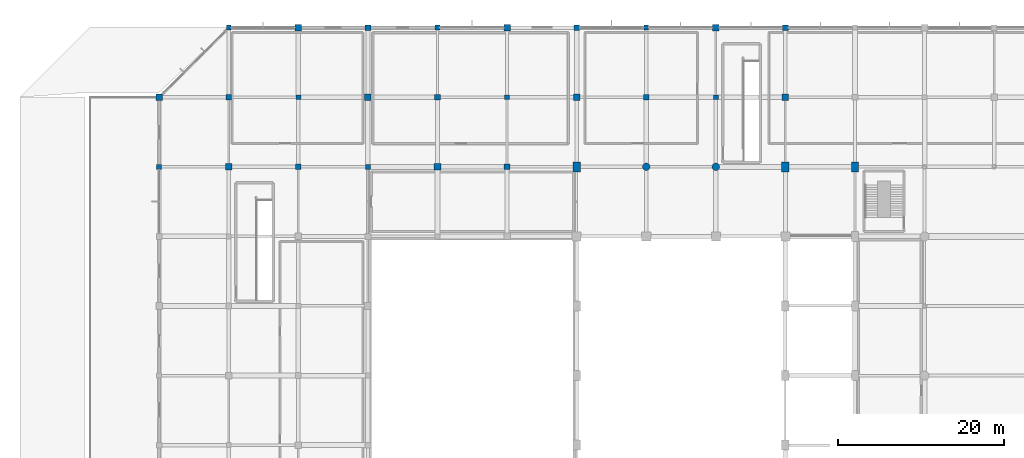
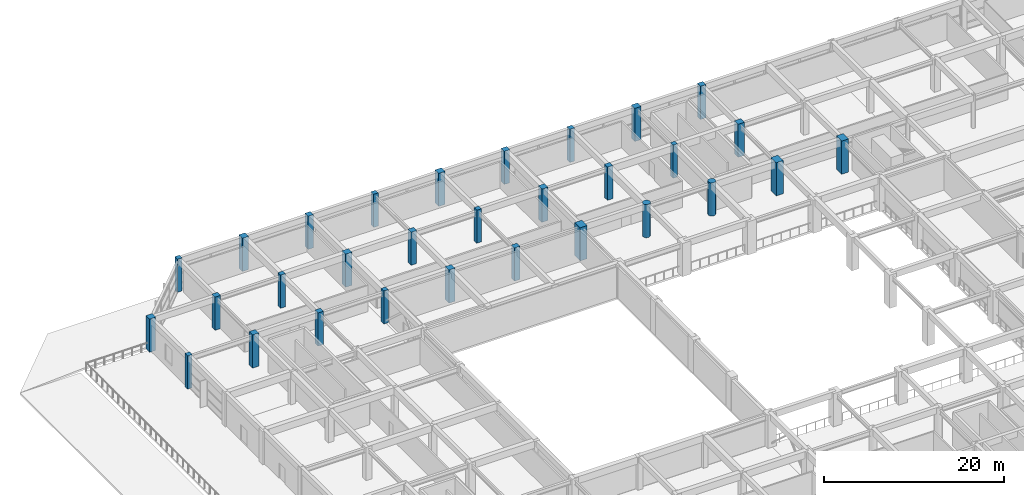
# One storey, part 5 of 56: 30 columns.
"""IFC4 building model written with IfcOpenShell, lengths in metres."""

from ifc_helpers import new_model, si_unit, direction, frame, origin, origin_2d, place, context, subcontext, project, spatial, rectangle, circle, extrude, material, material_profile, profile_set, type_object, element, save


model = new_model("IFC4")

# Units and contexts
model_context = context("Model", 3, precision=1e-05, world=origin(), true_north=direction((0.0, 1.0)))
body_context = subcontext(model_context, "Body", "Model", "MODEL_VIEW")
ifc_project = project(units=[si_unit("LENGTHUNIT", "METRE"), si_unit("AREAUNIT", "SQUARE_METRE"), si_unit("VOLUMEUNIT", "CUBIC_METRE"), si_unit("PLANEANGLEUNIT", "RADIAN"), si_unit("MASSUNIT", "GRAM", prefix="KILO")], contexts=[model_context])

# Site, building, storey
site_placement = place(None, origin())
site = spatial("IfcSite", under=ifc_project, at=site_placement, CompositionType="ELEMENT")
building_placement = place(site_placement, origin())
building = spatial("IfcBuilding", under=site, at=building_placement, Name="Xuanlan Plaza Opera House", CompositionType="ELEMENT")
storey_placement = place(building_placement, frame((0.0, 0.0, 18.89990234375)))
storey = spatial("IfcBuildingStorey", under=building, at=storey_placement, Name="L04", CompositionType="ELEMENT", Elevation=18.89990234375)

# Columns
ifc_material_1 = material(Name="Concrete C40", Category="concrete")
ifc_material_profile_1 = material_profile(ifc_material_1, rectangle(XDim=0.800048828125, YDim=0.800048828125, at=origin_2d()), Name="RC-COL 800x800")
ifc_profile_set_1 = profile_set([ifc_material_profile_1], Name="Concrete C40")
column_type_1 = type_object("IfcColumnType", Name="STR-COL-C-06", PredefinedType="COLUMN", material=ifc_profile_set_1)
for number, where, z_axis, x_axis, name in (
    (1, (16.800048828125, 92.39990234375, 0.0), (0.0, 0.0, 1.0), (1.0, 0.0, 0.0), "Column L04 3-L"),
    (2, (25.199951171875, 84.0, 0.0), (0.0, 0.0, 1.0), (1.0, 0.0, 0.0), "Column L04 4-K"),
    (3, (33.60009765625, 100.800048828125, 0.0), (0.0, 0.0, 1.0), (1.0, 0.0, 0.0), "Column L04 5-M"),
    (4, (42.0, 92.39990234375, 0.0), (0.0, 0.0, 1.0), (1.0, 0.0, 0.0), "Column L04 6-L"),
    (5, (50.39990234375, 84.0, 0.0), (0.0, 0.0, 1.0), (1.0, 0.0, 0.0), "Column L04 7-K"),
    (6, (58.800048828125, 100.800048828125, 0.0), (0.0, 0.0, 1.0), (1.0, 0.0, 0.0), "Column L04 8-M"),
    (7, (67.199951171875, 92.39990234375, 0.0), (0.0, 0.0, 1.0), (1.0, 0.0, 0.0), "Column L04 9-L"),
    (8, (84.0, 100.800048828125, 0.0), (0.0, 0.0, 1.0), (1.0, 0.0, 0.0), "Column L04 11-M"),
    (9, (92.39990234375, 92.39990234375, 0.0), (0.0, 0.0, 1.0), (1.0, 0.0, 0.0), "Column L04 12-L"),
):
    element("IfcColumn", number, at=place(storey_placement, frame(where, z_axis=z_axis, x_axis=x_axis)), inside=storey, type_object=column_type_1, Name=name, PredefinedType="COLUMN", context=body_context, shape_type="SweptSolid", body=[
        extrude(rectangle(XDim=0.800048828125, YDim=0.800048828125, at=origin_2d()), origin(), (0.0, 0.0, 1.0), 4.5),
    ])
ifc_material_profile_2 = material_profile(ifc_material_1, rectangle(XDim=0.699951171875, YDim=0.699951171875, at=origin_2d()), Name="RC-COL 700x700")
ifc_profile_set_2 = profile_set([ifc_material_profile_2], Name="Concrete C40")
column_type_2 = type_object("IfcColumnType", Name="STR-COL-C-07", PredefinedType="COLUMN", material=ifc_profile_set_2)
for number, where, z_axis, x_axis, name in (
    (10, (25.199951171875, 92.39990234375, 0.0), (0.0, 0.0, 1.0), (1.0, 0.0, 0.0), "Column L04 4-L"),
    (11, (33.60009765625, 84.0, 0.0), (0.0, 0.0, 1.0), (1.0, 0.0, 0.0), "Column L04 5-K"),
    (12, (42.0, 100.800048828125, 0.0), (0.0, 0.0, 1.0), (1.0, 0.0, 0.0), "Column L04 6-M"),
    (13, (50.39990234375, 92.39990234375, 0.0), (0.0, 0.0, 1.0), (1.0, 0.0, 0.0), "Column L04 7-L"),
    (14, (58.800048828125, 84.0, 0.0), (0.0, 0.0, 1.0), (1.0, 0.0, 0.0), "Column L04 8-K"),
    (15, (67.199951171875, 100.800048828125, 0.0), (0.0, 0.0, 1.0), (1.0, 0.0, 0.0), "Column L04 9-M"),
    (16, (75.60009765625, 92.39990234375, 0.0), (0.0, 0.0, 1.0), (1.0, 0.0, 0.0), "Column L04 10-L"),
    (17, (92.39990234375, 100.800048828125, 0.0), (0.0, 0.0, 1.0), (1.0, 0.0, 0.0), "Column L04 12-M"),
):
    element("IfcColumn", number, at=place(storey_placement, frame(where, z_axis=z_axis, x_axis=x_axis)), inside=storey, type_object=column_type_2, Name=name, PredefinedType="COLUMN", context=body_context, shape_type="SweptSolid", body=[
        extrude(rectangle(XDim=0.699951171875, YDim=0.699951171875, at=origin_2d()), origin(), (0.0, 0.0, 1.0), 4.5),
    ])
ifc_material_profile_3 = material_profile(ifc_material_1, rectangle(XDim=0.60009765625, YDim=0.60009765625, at=origin_2d()), Name="RC-COL 600x600")
ifc_profile_set_3 = profile_set([ifc_material_profile_3], Name="Concrete C40")
column_type_3 = type_object("IfcColumnType", Name="STR-COL-C-08", PredefinedType="COLUMN", material=ifc_profile_set_3)
for number, where, z_axis, x_axis, name in (
    (18, (16.800048828125, 84.0, 0.0), (0.0, 0.0, 1.0), (1.0, 0.0, 0.0), "Column L04 3-K"),
    (19, (25.199951171875, 100.800048828125, 0.0), (0.0, 0.0, 1.0), (1.0, 0.0, 0.0), "Column L04 4-M"),
    (20, (33.60009765625, 92.39990234375, 0.0), (0.0, 0.0, 1.0), (1.0, 0.0, 0.0), "Column L04 5-L"),
    (21, (42.0, 84.0, 0.0), (0.0, 0.0, 1.0), (1.0, 0.0, 0.0), "Column L04 6-K"),
    (22, (50.39990234375, 100.800048828125, 0.0), (0.0, 0.0, 1.0), (1.0, 0.0, 0.0), "Column L04 7-M"),
    (23, (58.800048828125, 92.39990234375, 0.0), (0.0, 0.0, 1.0), (1.0, 0.0, 0.0), "Column L04 8-L"),
    (24, (75.60009765625, 100.800048828125, 0.0), (0.0, 0.0, 1.0), (1.0, 0.0, 0.0), "Column L04 10-M"),
    (25, (84.0, 92.39990234375, 0.0), (0.0, 0.0, 1.0), (1.0, 0.0, 0.0), "Column L04 11-L"),
):
    element("IfcColumn", number, at=place(storey_placement, frame(where, z_axis=z_axis, x_axis=x_axis)), inside=storey, type_object=column_type_3, Name=name, PredefinedType="COLUMN", context=body_context, shape_type="SweptSolid", body=[
        extrude(rectangle(XDim=0.60009765625, YDim=0.60009765625, at=origin_2d()), origin(), (0.0, 0.0, 1.0), 4.5),
    ])
ifc_material_2 = material(Name="Concrete C50", Category="concrete")
ifc_material_profile_4 = material_profile(ifc_material_2, rectangle(XDim=0.89990234375, YDim=1.199951171875, at=origin_2d()), Name="RC-COL 900x1200")
ifc_profile_set_4 = profile_set([ifc_material_profile_4], Name="Concrete C50")
column_type_4 = type_object("IfcColumnType", Name="STR-COL-C-10", PredefinedType="COLUMN", material=ifc_profile_set_4)
for number, where, z_axis, x_axis, name in (
    (26, (67.199951171875, 84.0, 0.0), (0.0, 0.0, 1.0), (1.0, 0.0, 0.0), "Column L04 9-K"),
    (27, (92.39990234375, 84.0, 0.0), (0.0, 0.0, 1.0), (1.0, 0.0, 0.0), "Column L04 12-K"),
    (28, (100.800048828125, 84.0, 0.0), (0.0, 0.0, 1.0), (1.0, 0.0, 0.0), "Column L04 13-K"),
):
    element("IfcColumn", number, at=place(storey_placement, frame(where, z_axis=z_axis, x_axis=x_axis)), inside=storey, type_object=column_type_4, Name=name, PredefinedType="COLUMN", context=body_context, shape_type="SweptSolid", body=[
        extrude(rectangle(XDim=0.89990234375, YDim=1.199951171875, at=origin_2d()), origin(), (0.0, 0.0, 1.0), 4.5),
    ])
ifc_material_profile_5 = material_profile(ifc_material_1, circle(Radius=0.449951171875, at=origin_2d()), Name="RC-COL D900")
ifc_profile_set_5 = profile_set([ifc_material_profile_5], Name="Concrete C40")
column_type_5 = type_object("IfcColumnType", Name="STR-COL-C-12", PredefinedType="COLUMN", material=ifc_profile_set_5)
for number, where, z_axis, x_axis, name in (
    (29, (75.60009765625, 84.0, 0.0), (0.0, 0.0, 1.0), (1.0, 0.0, 0.0), "Column L04 10-K"),
    (30, (84.0, 84.0, 0.0), (0.0, 0.0, 1.0), (1.0, 0.0, 0.0), "Column L04 11-K"),
):
    element("IfcColumn", number, at=place(storey_placement, frame(where, z_axis=z_axis, x_axis=x_axis)), inside=storey, type_object=column_type_5, Name=name, PredefinedType="COLUMN", context=body_context, shape_type="SweptSolid", body=[
        extrude(circle(Radius=0.449951171875, at=origin_2d()), origin(), (0.0, 0.0, 1.0), 4.5),
    ])

save(model, "model.ifc")
